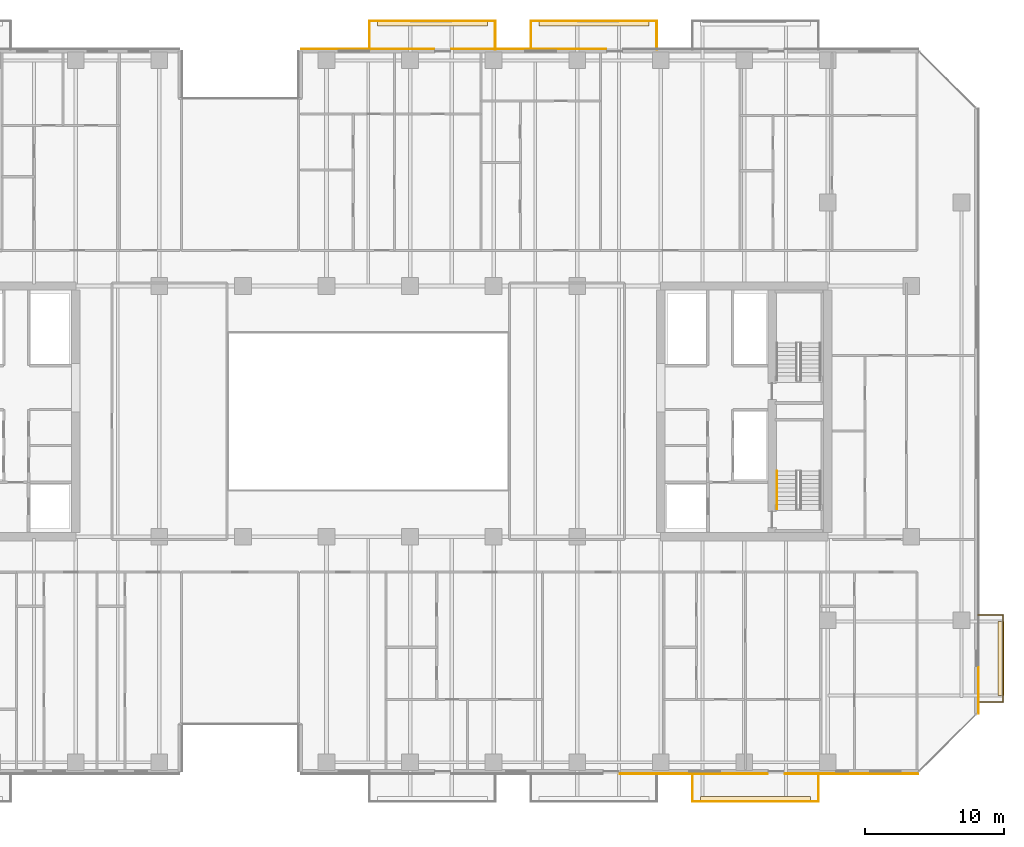
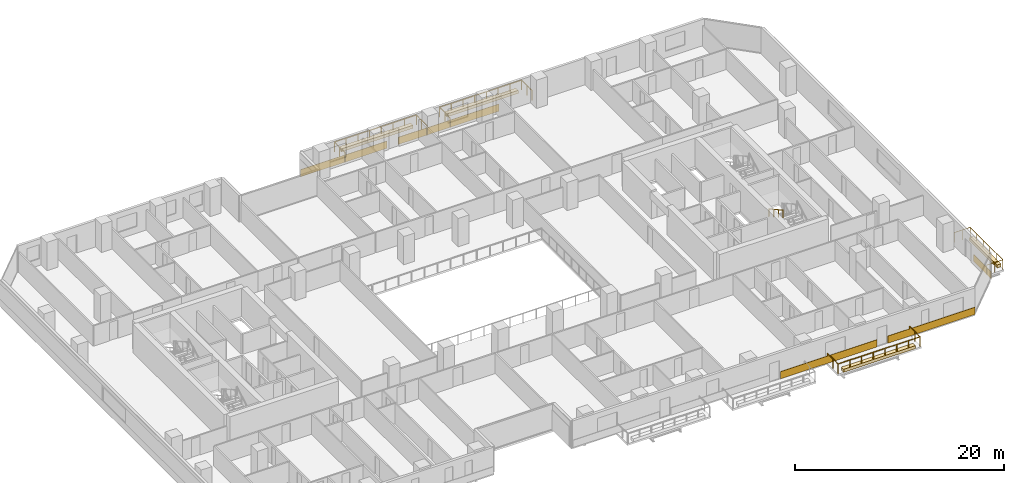
# One storey, part 30 of 33: 9 coverings, 5 railings.
"""IFC4 building model written with IfcOpenShell, lengths in metres."""

from ifc_helpers import new_model, si_unit, direction, frame, origin, origin_2d, place, context, subcontext, project, spatial, polyline, rectangle, outline, extrude, material, layer, layer_set, type_object, element, save


model = new_model("IFC4")

# Units and contexts
model_context = context("Model", 3, precision=1e-05, world=origin(), true_north=direction((0.0, 1.0)))
body_context = subcontext(model_context, "Body", "Model", "MODEL_VIEW")
ifc_project = project(units=[si_unit("LENGTHUNIT", "METRE"), si_unit("AREAUNIT", "SQUARE_METRE"), si_unit("VOLUMEUNIT", "CUBIC_METRE"), si_unit("PLANEANGLEUNIT", "RADIAN"), si_unit("MASSUNIT", "GRAM", prefix="KILO")], contexts=[model_context])

# Site, building, storey
site_placement = place(None, origin())
site = spatial("IfcSite", under=ifc_project, at=site_placement, CompositionType="ELEMENT")
building_placement = place(site_placement, origin())
building = spatial("IfcBuilding", under=site, at=building_placement, Name="Tanjung Sevakor Pilgrim Tower", CompositionType="ELEMENT")
storey_placement = place(building_placement, frame((0.0, 0.0, 32.340087890625)))
storey = spatial("IfcBuildingStorey", under=building, at=storey_placement, Name="L08", CompositionType="ELEMENT", Elevation=32.340087890625)

# Coverings
ifc_material_1 = material(Name="Reconstructed Limestone Cladding", Category="masonry")
ifc_layer_1 = layer(ifc_material_1, 0.044921875)
ifc_layer_set_1 = layer_set([ifc_layer_1], Name="COV-CLAD-LIMESTONE")
covering_type_1 = type_object("IfcCoveringType", Name="COV-CLAD-LIMESTONE", PredefinedType="CLADDING", material=ifc_layer_set_1)
covering_1_placement = place(storey_placement, frame((80.375, 7.577392578125, 0.009765625), z_axis=(0.0, 0.0, 1.0), x_axis=(1.0, 0.0, 0.0)))
element("IfcCovering", 1, at=covering_1_placement, inside=storey, type_object=covering_type_1, Name="L08 Warm Limestone Sill Spandrel EW-L08-MAIN-5-3", PredefinedType="CLADDING", context=body_context, shape_type="SweptSolid", body=[
    extrude(rectangle(XDim=10.6298828125, YDim=0.044921875, at=origin_2d()), origin(), (0.0, 0.0, 1.0), 0.840087890625),
])
covering_2_placement = place(storey_placement, frame((91.7060546875, 7.577392578125, 0.009765625), z_axis=(0.0, 0.0, 1.0), x_axis=(1.0, 0.0, 0.0)))
element("IfcCovering", 2, at=covering_2_placement, inside=storey, type_object=covering_type_1, Name="L08 Warm Limestone Sill Spandrel EW-L08-MAIN-5-4", PredefinedType="CLADDING", context=body_context, shape_type="SweptSolid", body=[
    extrude(rectangle(XDim=9.592041015625, YDim=0.044921875, at=origin_2d()), origin(), (0.0, 0.0, 1.0), 0.840087890625),
])
covering_3_placement = place(storey_placement, frame((100.822509765625, 13.569091796875, 0.009765625), z_axis=(0.0, 0.0, 1.0), x_axis=(0.0, 1.0, 0.0)))
element("IfcCovering", 3, at=covering_3_placement, inside=storey, type_object=covering_type_1, Name="L08 Warm Limestone Sill Spandrel EW-L08-MAIN-7-1", PredefinedType="CLADDING", context=body_context, shape_type="SweptSolid", body=[
    extrude(rectangle(XDim=3.342041015625, YDim=0.044921875, at=origin_2d()), origin(), (0.0, 0.0, 1.0), 0.840087890625),
])
covering_4_placement = place(storey_placement, frame((68.52490234375, 59.62255859375, 0.009765625), z_axis=(0.0, 0.0, 1.0), x_axis=(-1.0, 0.0, 0.0)))
element("IfcCovering", 4, at=covering_4_placement, inside=storey, type_object=covering_type_1, Name="L08 Warm Limestone Sill Spandrel EW-L08-MAIN-9-3", PredefinedType="CLADDING", context=body_context, shape_type="SweptSolid", body=[
    extrude(rectangle(XDim=11.1298828125, YDim=0.044921875, at=origin_2d()), origin(), (0.0, 0.0, 1.0), 0.840087890625),
])
covering_5_placement = place(storey_placement, frame((56.9599609375, 59.62255859375, 0.009765625), z_axis=(0.0, 0.0, 1.0), x_axis=(-1.0, 0.0, 0.0)))
element("IfcCovering", 5, at=covering_5_placement, inside=storey, type_object=covering_type_1, Name="L08 Warm Limestone Sill Spandrel EW-L08-MAIN-9-4", PredefinedType="CLADDING", context=body_context, shape_type="SweptSolid", body=[
    extrude(rectangle(XDim=9.56005859375, YDim=0.044921875, at=origin_2d()), origin(), (0.0, 0.0, 1.0), 0.840087890625),
])
ifc_material_2 = material(Name="Vegetated Modular Planter Assembly", Category="organic")
ifc_layer_2 = layer(ifc_material_2, 0.35009765625)
ifc_layer_set_2 = layer_set([ifc_layer_2], Name="COV-GRN-TROUGH")
covering_type_2 = type_object("IfcCoveringType", Name="COV-GRN-TROUGH", PredefinedType="CLADDING", material=ifc_layer_set_2)
covering_6_placement = place(storey_placement, origin())
element("IfcCovering", 6, at=covering_6_placement, inside=storey, type_object=covering_type_2, Name="L08 Planted Landscape Hedge Trough BGRN-L08-MAIN-N2", PredefinedType="CLADDING", context=body_context, shape_type="SweptSolid", body=[
    extrude(outline(polyline([(57.64990234375, 61.260009765625), (65.550048828125, 61.260009765625), (65.550048828125, 61.699951171875), (57.64990234375, 61.699951171875), (57.64990234375, 61.260009765625)])), origin(), (0.0, 0.0, 1.0), 0.349853515625),
])
covering_7_placement = place(storey_placement, origin())
element("IfcCovering", 7, at=covering_7_placement, inside=storey, type_object=covering_type_2, Name="L08 Planted Landscape Hedge Trough BGRN-L08-MAIN-N3", PredefinedType="CLADDING", context=body_context, shape_type="SweptSolid", body=[
    extrude(outline(polyline([(69.25, 61.260009765625), (77.14990234375, 61.260009765625), (77.14990234375, 61.699951171875), (69.25, 61.699951171875), (69.25, 61.260009765625)])), origin(), (0.0, 0.0, 1.0), 0.349853515625),
])
covering_8_placement = place(storey_placement, origin())
element("IfcCovering", 8, at=covering_8_placement, inside=storey, type_object=covering_type_2, Name="L08 Planted Landscape Hedge Trough BGRN-L08-MAIN-S4", PredefinedType="CLADDING", context=body_context, shape_type="SweptSolid", body=[
    extrude(outline(polyline([(80.85009765625, 5.5), (88.75, 5.5), (88.75, 5.93994140625), (80.85009765625, 5.93994140625), (80.85009765625, 5.5)])), origin(), (0.0, 0.0, 1.0), 0.349853515625),
])
covering_9_placement = place(storey_placement, origin())
element("IfcCovering", 9, at=covering_9_placement, inside=storey, type_object=covering_type_2, Name="L08 Planted Landscape Hedge Trough BGRN-L08-MAIN-E1", PredefinedType="CLADDING", context=body_context, shape_type="SweptSolid", body=[
    extrude(outline(polyline([(102.64990234375, 13.199951171875), (102.64990234375, 18.5), (102.2099609375, 18.5), (102.2099609375, 13.199951171875), (102.64990234375, 13.199951171875)])), origin(), (0.0, 0.0, 1.0), 0.349853515625),
])

# Railings
ifc_material_3 = material(Name="Laminated Glass and Aluminium", Category="aluminium")
railing_type_1 = type_object("IfcRailingType", Name="RL-BAL-BALUST", PredefinedType="BALUSTRADE", material=ifc_material_3)
railing_1_placement = place(storey_placement, frame((57.080078125, 59.60009765625, 0.0)))
element("IfcRailing", 10, at=railing_1_placement, inside=storey, type_object=railing_type_1, Name="L08 Loggia Balustrade MAIN-N2", PredefinedType="BALUSTRADE", context=body_context, shape_type="SweptSolid", body=[
    extrude(rectangle(XDim=0.0479, YDim=0.0479), frame((0.0, 0.0, 1.1259765625), z_axis=(0.0, 1.0, 0.0), x_axis=(-1.0, 0.0, 0.0)), (0.0, 0.0, 1.0), 2.02001953125),
    extrude(rectangle(XDim=0.0479, YDim=0.0479), frame((0.0, 2.02001953125, 1.1259765625), z_axis=(1.0, 0.0, 0.0), x_axis=(0.0, 1.0, 0.0)), (0.0, 0.0, 1.0), 9.0400390625),
    extrude(rectangle(XDim=0.0479, YDim=0.0479), frame((9.0400390625, 2.02001953125, 1.1259765625), z_axis=(0.0, -1.0, 0.0), x_axis=(1.0, 0.0, 0.0)), (0.0, 0.0, 1.0), 2.02001953125),
    extrude(rectangle(XDim=0.042, YDim=0.042), origin(), (0.0, 0.0, 1.0), 1.101806640625),
    extrude(rectangle(XDim=0.042, YDim=0.042), frame((0.0, 1.010009765625, 0.0)), (0.0, 0.0, 1.0), 1.101806640625),
    extrude(rectangle(XDim=0.042, YDim=0.042), frame((0.0, 2.02001953125, 0.0)), (0.0, 0.0, 1.0), 1.101806640625),
    extrude(rectangle(XDim=0.042, YDim=0.042), frame((1.29150390625, 2.02001953125, 0.0)), (0.0, 0.0, 1.0), 1.101806640625),
    extrude(rectangle(XDim=0.042, YDim=0.042), frame((2.582763671875, 2.02001953125, 0.0)), (0.0, 0.0, 1.0), 1.101806640625),
    extrude(rectangle(XDim=0.042, YDim=0.042), frame((3.874267578125, 2.02001953125, 0.0)), (0.0, 0.0, 1.0), 1.101806640625),
    extrude(rectangle(XDim=0.042, YDim=0.042), frame((5.165771484375, 2.02001953125, 0.0)), (0.0, 0.0, 1.0), 1.101806640625),
    extrude(rectangle(XDim=0.042, YDim=0.042), frame((6.457275390625, 2.02001953125, 0.0)), (0.0, 0.0, 1.0), 1.101806640625),
    extrude(rectangle(XDim=0.042, YDim=0.042), frame((7.74853515625, 2.02001953125, 0.0)), (0.0, 0.0, 1.0), 1.101806640625),
    extrude(rectangle(XDim=0.042, YDim=0.042), frame((9.0400390625, 2.02001953125, 0.0)), (0.0, 0.0, 1.0), 1.101806640625),
    extrude(rectangle(XDim=0.042, YDim=0.042), frame((9.0400390625, 1.010009765625, 0.0)), (0.0, 0.0, 1.0), 1.101806640625),
    extrude(rectangle(XDim=0.042, YDim=0.042), frame((9.0400390625, 0.0, 0.0)), (0.0, 0.0, 1.0), 1.101806640625),
])
railing_2_placement = place(storey_placement, frame((68.679931640625, 59.60009765625, 0.0)))
element("IfcRailing", 11, at=railing_2_placement, inside=storey, type_object=railing_type_1, Name="L08 Loggia Balustrade MAIN-N3", PredefinedType="BALUSTRADE", context=body_context, shape_type="SweptSolid", body=[
    extrude(rectangle(XDim=0.0479, YDim=0.0479), frame((0.0, 0.0, 1.1259765625), z_axis=(0.0, 1.0, 0.0), x_axis=(-1.0, 0.0, 0.0)), (0.0, 0.0, 1.0), 2.02001953125),
    extrude(rectangle(XDim=0.0479, YDim=0.0479), frame((0.0, 2.02001953125, 1.1259765625), z_axis=(1.0, 0.0, 0.0), x_axis=(0.0, 1.0, 0.0)), (0.0, 0.0, 1.0), 9.0400390625),
    extrude(rectangle(XDim=0.0479, YDim=0.0479), frame((9.0400390625, 2.02001953125, 1.1259765625), z_axis=(0.0, -1.0, 0.0), x_axis=(1.0, 0.0, 0.0)), (0.0, 0.0, 1.0), 2.02001953125),
    extrude(rectangle(XDim=0.042, YDim=0.042), origin(), (0.0, 0.0, 1.0), 1.101806640625),
    extrude(rectangle(XDim=0.042, YDim=0.042), frame((0.0, 1.010009765625, 0.0)), (0.0, 0.0, 1.0), 1.101806640625),
    extrude(rectangle(XDim=0.042, YDim=0.042), frame((0.0, 2.02001953125, 0.0)), (0.0, 0.0, 1.0), 1.101806640625),
    extrude(rectangle(XDim=0.042, YDim=0.042), frame((1.29150390625, 2.02001953125, 0.0)), (0.0, 0.0, 1.0), 1.101806640625),
    extrude(rectangle(XDim=0.042, YDim=0.042), frame((2.582763671875, 2.02001953125, 0.0)), (0.0, 0.0, 1.0), 1.101806640625),
    extrude(rectangle(XDim=0.042, YDim=0.042), frame((3.874267578125, 2.02001953125, 0.0)), (0.0, 0.0, 1.0), 1.101806640625),
    extrude(rectangle(XDim=0.042, YDim=0.042), frame((5.165771484375, 2.02001953125, 0.0)), (0.0, 0.0, 1.0), 1.101806640625),
    extrude(rectangle(XDim=0.042, YDim=0.042), frame((6.457275390625, 2.02001953125, 0.0)), (0.0, 0.0, 1.0), 1.101806640625),
    extrude(rectangle(XDim=0.042, YDim=0.042), frame((7.74853515625, 2.02001953125, 0.0)), (0.0, 0.0, 1.0), 1.101806640625),
    extrude(rectangle(XDim=0.042, YDim=0.042), frame((9.0400390625, 2.02001953125, 0.0)), (0.0, 0.0, 1.0), 1.101806640625),
    extrude(rectangle(XDim=0.042, YDim=0.042), frame((9.0400390625, 1.010009765625, 0.0)), (0.0, 0.0, 1.0), 1.101806640625),
    extrude(rectangle(XDim=0.042, YDim=0.042), frame((9.0400390625, 0.0, 0.0)), (0.0, 0.0, 1.0), 1.101806640625),
])
railing_3_placement = place(storey_placement, frame((80.280029296875, 7.60009765625, 0.0)))
element("IfcRailing", 12, at=railing_3_placement, inside=storey, type_object=railing_type_1, Name="L08 Loggia Balustrade MAIN-S4", PredefinedType="BALUSTRADE", context=body_context, shape_type="SweptSolid", body=[
    extrude(rectangle(XDim=0.0479, YDim=0.0479), frame((0.0, 0.0, 1.1259765625), z_axis=(0.0, -1.0, 0.0), x_axis=(1.0, 0.0, 0.0)), (0.0, 0.0, 1.0), 2.02001953125),
    extrude(rectangle(XDim=0.0479, YDim=0.0479), frame((0.0, -2.02001953125, 1.1259765625), z_axis=(1.0, 0.0, 0.0), x_axis=(0.0, 1.0, 0.0)), (0.0, 0.0, 1.0), 9.0400390625),
    extrude(rectangle(XDim=0.0479, YDim=0.0479), frame((9.0400390625, -2.02001953125, 1.1259765625), z_axis=(0.0, 1.0, 0.0), x_axis=(-1.0, 0.0, 0.0)), (0.0, 0.0, 1.0), 2.02001953125),
    extrude(rectangle(XDim=0.042, YDim=0.042), origin(), (0.0, 0.0, 1.0), 1.101806640625),
    extrude(rectangle(XDim=0.042, YDim=0.042), frame((0.0, -1.010009765625, 0.0)), (0.0, 0.0, 1.0), 1.101806640625),
    extrude(rectangle(XDim=0.042, YDim=0.042), frame((0.0, -2.02001953125, 0.0)), (0.0, 0.0, 1.0), 1.101806640625),
    extrude(rectangle(XDim=0.042, YDim=0.042), frame((1.29150390625, -2.02001953125, 0.0)), (0.0, 0.0, 1.0), 1.101806640625),
    extrude(rectangle(XDim=0.042, YDim=0.042), frame((2.582763671875, -2.02001953125, 0.0)), (0.0, 0.0, 1.0), 1.101806640625),
    extrude(rectangle(XDim=0.042, YDim=0.042), frame((3.874267578125, -2.02001953125, 0.0)), (0.0, 0.0, 1.0), 1.101806640625),
    extrude(rectangle(XDim=0.042, YDim=0.042), frame((5.165771484375, -2.02001953125, 0.0)), (0.0, 0.0, 1.0), 1.101806640625),
    extrude(rectangle(XDim=0.042, YDim=0.042), frame((6.457275390625, -2.02001953125, 0.0)), (0.0, 0.0, 1.0), 1.101806640625),
    extrude(rectangle(XDim=0.042, YDim=0.042), frame((7.74853515625, -2.02001953125, 0.0)), (0.0, 0.0, 1.0), 1.101806640625),
    extrude(rectangle(XDim=0.042, YDim=0.042), frame((9.0400390625, -2.02001953125, 0.0)), (0.0, 0.0, 1.0), 1.101806640625),
    extrude(rectangle(XDim=0.042, YDim=0.042), frame((9.0400390625, -1.010009765625, 0.0)), (0.0, 0.0, 1.0), 1.101806640625),
    extrude(rectangle(XDim=0.042, YDim=0.042), frame((9.0400390625, 0.0, 0.0)), (0.0, 0.0, 1.0), 1.101806640625),
])
railing_4_placement = place(storey_placement, frame((100.800048828125, 12.72998046875, 0.0)))
element("IfcRailing", 13, at=railing_4_placement, inside=storey, type_object=railing_type_1, Name="L08 Loggia Balustrade MAIN-E1", PredefinedType="BALUSTRADE", context=body_context, shape_type="SweptSolid", body=[
    extrude(rectangle(XDim=0.0479, YDim=0.0479), frame((0.0, 0.0, 1.1259765625), z_axis=(1.0, 0.0, 0.0), x_axis=(0.0, 1.0, 0.0)), (0.0, 0.0, 1.0), 1.77001953125),
    extrude(rectangle(XDim=0.0479, YDim=0.0479), frame((1.77001953125, 0.0, 1.1259765625), z_axis=(0.0, 1.0, 0.0), x_axis=(-1.0, 0.0, 0.0)), (0.0, 0.0, 1.0), 6.239990234375),
    extrude(rectangle(XDim=0.0479, YDim=0.0479), frame((1.77001953125, 6.239990234375, 1.1259765625), z_axis=(-1.0, 0.0, 0.0), x_axis=(0.0, -1.0, 0.0)), (0.0, 0.0, 1.0), 1.77001953125),
    extrude(rectangle(XDim=0.042, YDim=0.042), origin(), (0.0, 0.0, 1.0), 1.101806640625),
    extrude(rectangle(XDim=0.042, YDim=0.042), frame((0.885009765625, 0.0, 0.0)), (0.0, 0.0, 1.0), 1.101806640625),
    extrude(rectangle(XDim=0.042, YDim=0.042), frame((1.77001953125, 0.0, 0.0)), (0.0, 0.0, 1.0), 1.101806640625),
    extrude(rectangle(XDim=0.042, YDim=0.042), frame((1.77001953125, 1.248046875, 0.0)), (0.0, 0.0, 1.0), 1.101806640625),
    extrude(rectangle(XDim=0.042, YDim=0.042), frame((1.77001953125, 2.49609375, 0.0)), (0.0, 0.0, 1.0), 1.101806640625),
    extrude(rectangle(XDim=0.042, YDim=0.042), frame((1.77001953125, 3.743896484375, 0.0)), (0.0, 0.0, 1.0), 1.101806640625),
    extrude(rectangle(XDim=0.042, YDim=0.042), frame((1.77001953125, 4.991943359375, 0.0)), (0.0, 0.0, 1.0), 1.101806640625),
    extrude(rectangle(XDim=0.042, YDim=0.042), frame((1.77001953125, 6.239990234375, 0.0)), (0.0, 0.0, 1.0), 1.101806640625),
    extrude(rectangle(XDim=0.042, YDim=0.042), frame((0.885009765625, 6.239990234375, 0.0)), (0.0, 0.0, 1.0), 1.101806640625),
    extrude(rectangle(XDim=0.042, YDim=0.042), frame((0.0, 6.239990234375, 0.0)), (0.0, 0.0, 1.0), 1.101806640625),
])
ifc_material_4 = material(Name="Steel S355J2", Category="steel")
railing_type_2 = type_object("IfcRailingType", Name="RL-STAIR-HAND", PredefinedType="HANDRAIL", material=ifc_material_4)
railing_5_placement = place(storey_placement, frame((86.35009765625, 29.300048828125, 1.81494140625)))
element("IfcRailing", 14, at=railing_5_placement, inside=storey, type_object=railing_type_2, Name="L08 TS-E1 stair handrail 2", PredefinedType="HANDRAIL", context=body_context, shape_type="SweptSolid", body=[
    extrude(rectangle(XDim=0.0479, YDim=0.0479), frame((0.0, 0.0, 0.8759765625), z_axis=(0.0, -0.876230963923, 0.481891375584), x_axis=(1.0, 0.0, 0.0)), (0.0, 0.0, 1.0), 3.081298828125),
    extrude(rectangle(XDim=0.042, YDim=0.042), origin(), (0.0, 0.0, 1.0), 0.851806640625),
    extrude(rectangle(XDim=0.042, YDim=0.042), frame((0.0, -0.89990234375, 0.494873046875)), (0.0, 0.0, 1.0), 0.851806640625),
    extrude(rectangle(XDim=0.042, YDim=0.042), frame((0.0, -1.800048828125, 0.989990234375)), (0.0, 0.0, 1.0), 0.851806640625),
    extrude(rectangle(XDim=0.042, YDim=0.042), frame((0.0, -2.699951171875, 1.48486328125)), (0.0, 0.0, 1.0), 0.851806640625),
])

save(model, "model.ifc")
